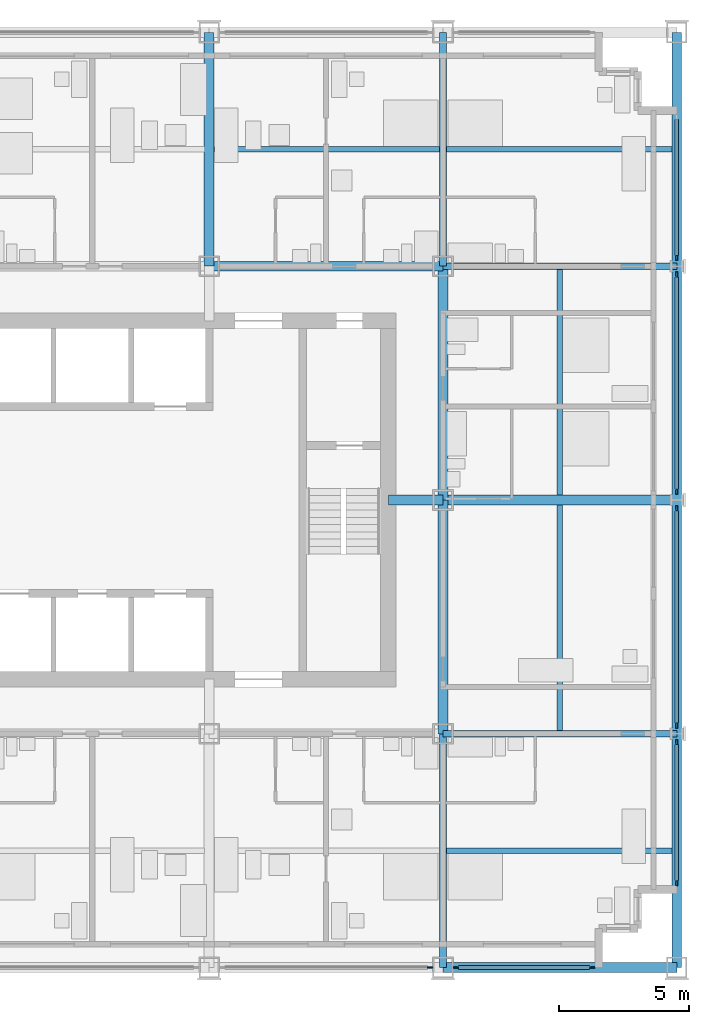
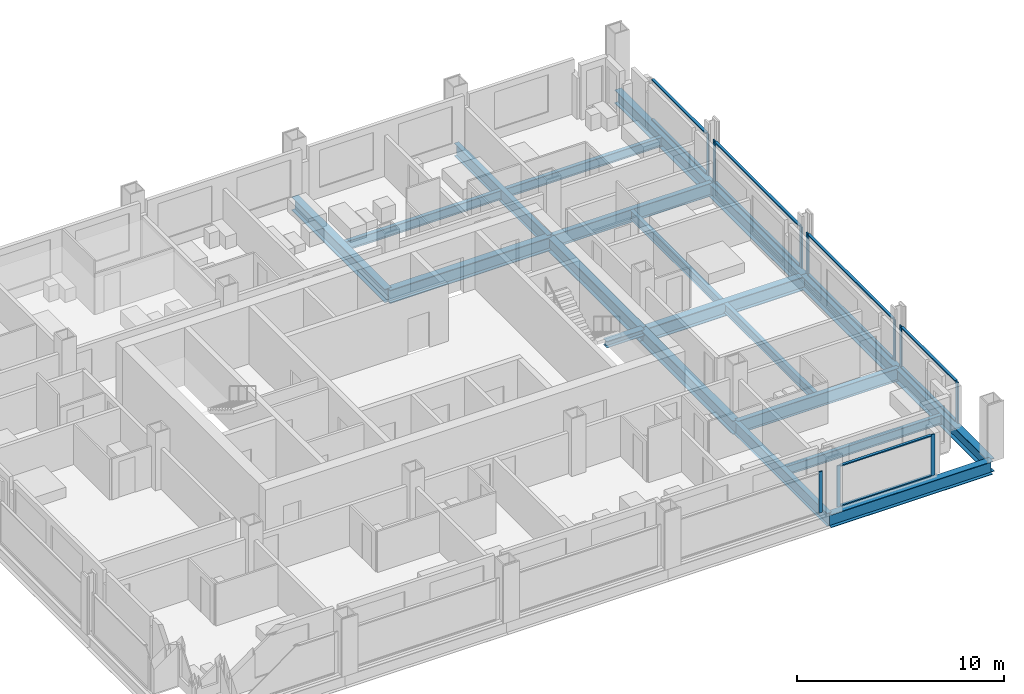
# One storey, part 5 of 16: 21 members, 19 beams, 6 elements without a shape of their own.
"""IFC4 building model written with IfcOpenShell, lengths in metres."""

from ifc_helpers import new_model, si_unit, direction, frame, origin, origin_2d, place, context, subcontext, project, spatial, rectangle, i_section, extrude, material, material_profile, profile_set, type_object, element, aggregate, save


model = new_model("IFC4")

# Units and contexts
model_context = context("Model", 3, precision=1e-05, world=origin(), true_north=direction((0.0, 1.0)))
body_context = subcontext(model_context, "Body", "Model", "MODEL_VIEW")
ifc_project = project(units=[si_unit("LENGTHUNIT", "METRE"), si_unit("AREAUNIT", "SQUARE_METRE"), si_unit("VOLUMEUNIT", "CUBIC_METRE"), si_unit("PLANEANGLEUNIT", "RADIAN"), si_unit("MASSUNIT", "GRAM", prefix="KILO")], contexts=[model_context])

# Site, building, storey
site_placement = place(None, origin())
site = spatial("IfcSite", under=ifc_project, at=site_placement, CompositionType="ELEMENT")
building_placement = place(site_placement, origin())
building = spatial("IfcBuilding", under=site, at=building_placement, Name="Loomwork Tower", CompositionType="ELEMENT")
storey_placement = place(building_placement, frame((0.0, 0.0, 148.60009765625)))
storey = spatial("IfcBuildingStorey", under=building, at=storey_placement, Name="L40", CompositionType="ELEMENT", Elevation=148.60009765625)

# Beams
ifc_material_1 = material(Name="Steel ASTM A992", Category="steel")
ifc_material_profile_1 = material_profile(ifc_material_1, i_section(OverallWidth=0.383544921875, OverallDepth=0.794921875, WebThickness=0.02099609375, FlangeThickness=0.0380859375, at=origin_2d()), Name="W30x235")
ifc_profile_set_1 = profile_set([ifc_material_profile_1], Name="Steel ASTM A992")
beam_type_1 = type_object("IfcBeamType", Name="CORE FLANK GIRDER W30x235", PredefinedType="BEAM", material=ifc_profile_set_1)
for number, where, z_axis, x_axis, name in (
    (1, (36.0, 18.0, -0.59765625), (1.0, 0.0, 0.0), (0.0, 1.0, 0.0), "Core Flank Girder F/6-F/7 L40"),
    (2, (27.0, 27.0, -0.59765625), (1.0, 0.0, 0.0), (0.0, 1.0, 0.0), "Core Flank Girder G/5-G/6 L40"),
    (3, (27.0, 27.0, -0.59765625), (0.0, 1.0, 0.0), (-1.0, 0.0, 0.0), "Core Flank Girder G/5-H/5 L40"),
    (4, (36.0, 9.0, -0.59765625), (0.0, 1.0, 0.0), (-1.0, 0.0, 0.0), "Core Flank Girder E/6-F/6 L40"),
    (5, (36.0, 18.0, -0.59765625), (0.0, 1.0, 0.0), (-1.0, 0.0, 0.0), "Core Flank Girder F/6-G/6 L40"),
):
    element("IfcBeam", number, at=place(storey_placement, frame(where, z_axis=z_axis, x_axis=x_axis)), inside=storey, type_object=beam_type_1, Name=name, PredefinedType="BEAM", context=body_context, shape_type="SweptSolid", body=[
        extrude(i_section(OverallWidth=0.383544921875, OverallDepth=0.794921875, WebThickness=0.02099609375, FlangeThickness=0.0380859375, at=origin_2d()), origin(), (0.0, 0.0, 1.0), 9.0),
    ])

# Member
ifc_material_2 = material(Name="Steel ASTM A992", Category="steel")
ifc_material_profile_2 = material_profile(ifc_material_2, i_section(OverallWidth=0.373291015625, OverallDepth=0.373291015625, WebThickness=0.016357421875, FlangeThickness=0.026123046875, at=origin_2d()), Name="W14x132")
ifc_profile_set_2 = profile_set([ifc_material_profile_2], Name="Steel ASTM A992")
member_type_1 = type_object("IfcMemberType", Name="CORE LINK STRUT W14x132", PredefinedType="STRUT", material=ifc_profile_set_2)
member_1_placement = place(storey_placement, frame((36.0, 18.0, -0.38671875), z_axis=(-1.0, 0.0, 0.0), x_axis=(0.0, -1.0, 0.0)))
element("IfcMember", 6, at=member_1_placement, inside=storey, type_object=member_type_1, Name="Core link strut F/6-33.900,18.000 L40", PredefinedType="STRUT", context=body_context, shape_type="SweptSolid", body=[
    extrude(i_section(OverallWidth=0.373291015625, OverallDepth=0.373291015625, WebThickness=0.016357421875, FlangeThickness=0.026123046875, at=origin_2d()), origin(), (0.0, 0.0, 1.0), 2.10009765625),
])

# Beams
ifc_material_3 = material(Name="Steel ASTM A992", Category="steel")
ifc_material_profile_3 = material_profile(ifc_material_3, i_section(OverallWidth=0.2666015625, OverallDepth=0.761962890625, WebThickness=0.014404296875, FlangeThickness=0.021484375, at=origin_2d()), Name="W30x116")
ifc_profile_set_3 = profile_set([ifc_material_profile_3], Name="Steel ASTM A992")
beam_type_2 = type_object("IfcBeamType", Name="FLOOR GIRDER W30x116", PredefinedType="BEAM", material=ifc_profile_set_3)
for number, where, z_axis, x_axis, name in (
    (7, (36.0, 9.0, -0.5810546875), (1.0, 0.0, 0.0), (0.0, 1.0, 0.0), "Floor Girder E/6-E/7 L40"),
    (8, (36.0, 27.0, -0.5810546875), (1.0, 0.0, 0.0), (0.0, 1.0, 0.0), "Floor Girder G/6-G/7 L40"),
    (9, (36.0, 0.0, -0.5810546875), (0.0, 1.0, 0.0), (-1.0, 0.0, 0.0), "Floor Girder D/6-E/6 L40"),
    (10, (36.0, 27.0, -0.5810546875), (0.0, 1.0, 0.0), (-1.0, 0.0, 0.0), "Floor Girder G/6-H/6 L40"),
):
    element("IfcBeam", number, at=place(storey_placement, frame(where, z_axis=z_axis, x_axis=x_axis)), inside=storey, type_object=beam_type_2, Name=name, PredefinedType="BEAM", context=body_context, shape_type="SweptSolid", body=[
        extrude(i_section(OverallWidth=0.2666015625, OverallDepth=0.761962890625, WebThickness=0.014404296875, FlangeThickness=0.021484375, at=origin_2d()), origin(), (0.0, 0.0, 1.0), 9.0),
    ])
ifc_material_4 = material(Name="Steel ASTM A992", Category="steel")
ifc_material_profile_4 = material_profile(ifc_material_4, i_section(OverallWidth=0.2109375, OverallDepth=0.53857421875, WebThickness=0.011474609375, FlangeThickness=0.018798828125, at=origin_2d()), Name="W21x73")
ifc_profile_set_4 = profile_set([ifc_material_profile_4], Name="Steel ASTM A992")
beam_type_3 = type_object("IfcBeamType", Name="FLOOR JOIST W21x73", PredefinedType="JOIST", material=ifc_profile_set_4)
beam_1_placement = place(storey_placement, frame((27.19091796875, 31.5, -0.46923828125), z_axis=(1.0, 0.0, 0.0), x_axis=(0.0, 1.0, 0.0)))
element("IfcBeam", 11, at=beam_1_placement, inside=storey, type_object=beam_type_3, Name="Floor Joist 27.000,31.500-36.000,31.500 L40", PredefinedType="JOIST", context=body_context, shape_type="SweptSolid", body=[
    extrude(i_section(OverallWidth=0.2109375, OverallDepth=0.53857421875, WebThickness=0.011474609375, FlangeThickness=0.018798828125, at=origin_2d()), origin(), (0.0, 0.0, 1.0), 8.676025390625),
])
beam_2_placement = place(storey_placement, frame((36.133056640625, 4.5, -0.46923828125), z_axis=(1.0, 0.0, 0.0), x_axis=(0.0, 1.0, 0.0)))
element("IfcBeam", 12, at=beam_2_placement, inside=storey, type_object=beam_type_3, Name="Floor Joist 36.000,4.500-45.000,4.500 L40", PredefinedType="JOIST", context=body_context, shape_type="SweptSolid", body=[
    extrude(i_section(OverallWidth=0.2109375, OverallDepth=0.53857421875, WebThickness=0.011474609375, FlangeThickness=0.018798828125, at=origin_2d()), origin(), (0.0, 0.0, 1.0), 8.677001953125),
])
for number, where, z_axis, x_axis, name in (
    (13, (40.5, 9.133056640625, -0.46923828125), (0.0, 1.0, 0.0), (-1.0, 0.0, 0.0), "Floor Joist 40.500,9.000-40.500,18.000 L40"),
    (14, (40.5, 18.19091796875, -0.46923828125), (0.0, 1.0, 0.0), (-1.0, 0.0, 0.0), "Floor Joist 40.500,18.000-40.500,27.000 L40"),
):
    element("IfcBeam", number, at=place(storey_placement, frame(where, z_axis=z_axis, x_axis=x_axis)), inside=storey, type_object=beam_type_3, Name=name, PredefinedType="JOIST", context=body_context, shape_type="SweptSolid", body=[
        extrude(i_section(OverallWidth=0.2109375, OverallDepth=0.53857421875, WebThickness=0.011474609375, FlangeThickness=0.018798828125, at=origin_2d()), origin(), (0.0, 0.0, 1.0), 8.676025390625),
    ])
beam_3_placement = place(storey_placement, frame((36.133056640625, 31.5, -0.46923828125), z_axis=(1.0, 0.0, 0.0), x_axis=(0.0, 1.0, 0.0)))
element("IfcBeam", 15, at=beam_3_placement, inside=storey, type_object=beam_type_3, Name="Floor Joist 36.000,31.500-45.000,31.500 L40", PredefinedType="JOIST", context=body_context, shape_type="SweptSolid", body=[
    extrude(i_section(OverallWidth=0.2109375, OverallDepth=0.53857421875, WebThickness=0.011474609375, FlangeThickness=0.018798828125, at=origin_2d()), origin(), (0.0, 0.0, 1.0), 8.677001953125),
])

# Curtain wall, member
ifc_material_5 = material(Name="Aluminium curtain wall frame", Category="aluminium")
curtain_wall_type = type_object("IfcCurtainWallType", Name="Outer skin glazing hotel", PredefinedType="NOTDEFINED", material=ifc_material_5)
curtain_wall_1_placement = place(storey_placement, origin())
curtain_wall_1 = element("IfcCurtainWall", 16, at=curtain_wall_1_placement, inside=storey, type_object=curtain_wall_type, Name="Outer skin glazing hotel cw/S-27", PredefinedType="NOTDEFINED")
ifc_material_6 = material(Name="Aluminium curtain wall frame", Category="aluminium")
ifc_material_profile_5 = material_profile(ifc_material_6, rectangle(XDim=0.06494140625, YDim=0.199951171875, at=origin_2d()), Name="AL 65x200")
ifc_profile_set_5 = profile_set([ifc_material_profile_5], Name="Aluminium curtain wall frame")
member_type_2 = type_object("IfcMemberType", Name="Outer skin glazing hotel mullion", PredefinedType="MULLION", material=ifc_profile_set_5)
member_2_placement = place(storey_placement, frame((35.5, 0.0, 0.0), z_axis=(0.0, 0.0, 1.0), x_axis=(0.0, 1.0, 0.0)))
member_2 = element("IfcMember", 17, at=member_2_placement, type_object=member_type_2, Name="CW1 mullion 2", PredefinedType="MULLION", context=body_context, shape_type="SweptSolid", body=[
    extrude(rectangle(XDim=0.06494140625, YDim=0.199951171875, at=origin_2d()), origin(), (0.0, 0.0, 1.0), 2.420166015625),
])
aggregate(curtain_wall_1, [member_2])

# Curtain wall, members
curtain_wall_2_placement = place(storey_placement, origin())
curtain_wall_2 = element("IfcCurtainWall", 18, at=curtain_wall_2_placement, inside=storey, type_object=curtain_wall_type, Name="Outer skin glazing hotel cw/S-36", PredefinedType="NOTDEFINED")
member_3_placement = place(storey_placement, frame((36.5, 0.0, 0.0), z_axis=(0.0, 0.0, 1.0), x_axis=(0.0, 1.0, 0.0)))
member_3 = element("IfcMember", 19, at=member_3_placement, type_object=member_type_2, Name="CW1 mullion 1", PredefinedType="MULLION", context=body_context, shape_type="SweptSolid", body=[
    extrude(rectangle(XDim=0.06494140625, YDim=0.199951171875, at=origin_2d()), origin(), (0.0, 0.0, 1.0), 2.420166015625),
])
member_4_placement = place(storey_placement, frame((41.75, 0.0, 0.0), z_axis=(0.0, 0.0, 1.0), x_axis=(0.0, 1.0, 0.0)))
member_4 = element("IfcMember", 20, at=member_4_placement, type_object=member_type_2, Name="CW1 mullion 2", PredefinedType="MULLION", context=body_context, shape_type="SweptSolid", body=[
    extrude(rectangle(XDim=0.06494140625, YDim=0.199951171875, at=origin_2d()), origin(), (0.0, 0.0, 1.0), 2.420166015625),
])

curtain_wall_3_placement = place(storey_placement, origin())
curtain_wall_3 = element("IfcCurtainWall", 21, at=curtain_wall_3_placement, inside=storey, type_object=curtain_wall_type, Name="Outer skin glazing hotel cw/E-0", PredefinedType="NOTDEFINED")
member_5_placement = place(storey_placement, frame((45.0, 3.25, 0.0), z_axis=(0.0, 0.0, 1.0), x_axis=(-1.0, 0.0, 0.0)))
member_5 = element("IfcMember", 22, at=member_5_placement, type_object=member_type_2, Name="CW1 mullion 1", PredefinedType="MULLION", context=body_context, shape_type="SweptSolid", body=[
    extrude(rectangle(XDim=0.06494140625, YDim=0.199951171875, at=origin_2d()), origin(), (0.0, 0.0, 1.0), 2.420166015625),
])
member_6_placement = place(storey_placement, frame((45.0, 8.678955078125, 0.0), z_axis=(0.0, 0.0, 1.0), x_axis=(-1.0, 0.0, 0.0)))
member_6 = element("IfcMember", 23, at=member_6_placement, type_object=member_type_2, Name="CW1 mullion 2", PredefinedType="MULLION", context=body_context, shape_type="SweptSolid", body=[
    extrude(rectangle(XDim=0.06494140625, YDim=0.199951171875, at=origin_2d()), origin(), (0.0, 0.0, 1.0), 2.420166015625),
])

curtain_wall_4_placement = place(storey_placement, origin())
curtain_wall_4 = element("IfcCurtainWall", 24, at=curtain_wall_4_placement, inside=storey, type_object=curtain_wall_type, Name="Outer skin glazing hotel cw/E-9", PredefinedType="NOTDEFINED")
member_7_placement = place(storey_placement, frame((45.0, 9.321044921875, 0.0), z_axis=(0.0, 0.0, 1.0), x_axis=(-1.0, 0.0, 0.0)))
member_7 = element("IfcMember", 25, at=member_7_placement, type_object=member_type_2, Name="CW1 mullion 1", PredefinedType="MULLION", context=body_context, shape_type="SweptSolid", body=[
    extrude(rectangle(XDim=0.06494140625, YDim=0.199951171875, at=origin_2d()), origin(), (0.0, 0.0, 1.0), 2.420166015625),
])
member_8_placement = place(storey_placement, frame((45.0, 17.678955078125, 0.0), z_axis=(0.0, 0.0, 1.0), x_axis=(-1.0, 0.0, 0.0)))
member_8 = element("IfcMember", 26, at=member_8_placement, type_object=member_type_2, Name="CW1 mullion 2", PredefinedType="MULLION", context=body_context, shape_type="SweptSolid", body=[
    extrude(rectangle(XDim=0.06494140625, YDim=0.199951171875, at=origin_2d()), origin(), (0.0, 0.0, 1.0), 2.420166015625),
])

curtain_wall_5_placement = place(storey_placement, origin())
curtain_wall_5 = element("IfcCurtainWall", 27, at=curtain_wall_5_placement, inside=storey, type_object=curtain_wall_type, Name="Outer skin glazing hotel cw/E-18", PredefinedType="NOTDEFINED")
member_9_placement = place(storey_placement, frame((45.0, 18.321044921875, 0.0), z_axis=(0.0, 0.0, 1.0), x_axis=(-1.0, 0.0, 0.0)))
member_9 = element("IfcMember", 28, at=member_9_placement, type_object=member_type_2, Name="CW1 mullion 1", PredefinedType="MULLION", context=body_context, shape_type="SweptSolid", body=[
    extrude(rectangle(XDim=0.06494140625, YDim=0.199951171875, at=origin_2d()), origin(), (0.0, 0.0, 1.0), 2.420166015625),
])
member_10_placement = place(storey_placement, frame((45.0, 26.678955078125, 0.0), z_axis=(0.0, 0.0, 1.0), x_axis=(-1.0, 0.0, 0.0)))
member_10 = element("IfcMember", 29, at=member_10_placement, type_object=member_type_2, Name="CW1 mullion 2", PredefinedType="MULLION", context=body_context, shape_type="SweptSolid", body=[
    extrude(rectangle(XDim=0.06494140625, YDim=0.199951171875, at=origin_2d()), origin(), (0.0, 0.0, 1.0), 2.420166015625),
])

# Curtain wall, member
curtain_wall_6_placement = place(storey_placement, origin())
curtain_wall_6 = element("IfcCurtainWall", 30, at=curtain_wall_6_placement, inside=storey, type_object=curtain_wall_type, Name="Outer skin glazing hotel cw/E-27", PredefinedType="NOTDEFINED")
member_11_placement = place(storey_placement, frame((45.0, 27.321044921875, 0.0), z_axis=(0.0, 0.0, 1.0), x_axis=(-1.0, 0.0, 0.0)))
member_11 = element("IfcMember", 31, at=member_11_placement, type_object=member_type_2, Name="CW1 mullion 1", PredefinedType="MULLION", context=body_context, shape_type="SweptSolid", body=[
    extrude(rectangle(XDim=0.06494140625, YDim=0.199951171875, at=origin_2d()), origin(), (0.0, 0.0, 1.0), 2.420166015625),
])

# Member
ifc_material_7 = material(Name="Aluminium curtain wall frame", Category="aluminium")
ifc_material_profile_6 = material_profile(ifc_material_7, rectangle(XDim=0.14990234375, YDim=0.06494140625, at=origin_2d()), Name="AL 65x150")
ifc_profile_set_6 = profile_set([ifc_material_profile_6], Name="Aluminium curtain wall frame")
member_type_3 = type_object("IfcMemberType", Name="Outer skin glazing hotel transom", PredefinedType="USERDEFINED", material=ifc_profile_set_6)
member_12_placement = place(storey_placement, frame((36.60009765625, 0.0, 0.032470703125), z_axis=(1.0, 0.0, 0.0), x_axis=(0.0, 1.0, 0.0)))
member_12 = element("IfcMember", 32, at=member_12_placement, type_object=member_type_3, Name="CW1 transom 1.1", ObjectType="TRANSOM", PredefinedType="USERDEFINED", context=body_context, shape_type="SweptSolid", body=[
    extrude(rectangle(XDim=0.14990234375, YDim=0.06494140625, at=origin_2d()), origin(), (0.0, 0.0, 1.0), 5.0498046875),
])

member_13_placement = place(storey_placement, frame((36.60009765625, 0.0, 2.3876953125), z_axis=(1.0, 0.0, 0.0), x_axis=(0.0, 1.0, 0.0)))
member_13 = element("IfcMember", 33, at=member_13_placement, type_object=member_type_3, Name="CW1 transom 1.2", ObjectType="TRANSOM", PredefinedType="USERDEFINED", context=body_context, shape_type="SweptSolid", body=[
    extrude(rectangle(XDim=0.14990234375, YDim=0.06494140625, at=origin_2d()), origin(), (0.0, 0.0, 1.0), 5.0498046875),
])

aggregate(curtain_wall_2, [member_3, member_4, member_12, member_13])

member_14_placement = place(storey_placement, frame((45.0, 3.35009765625, 0.032470703125), z_axis=(0.0, 1.0, 0.0), x_axis=(-1.0, 0.0, 0.0)))
member_14 = element("IfcMember", 34, at=member_14_placement, type_object=member_type_3, Name="CW1 transom 1.1", ObjectType="TRANSOM", PredefinedType="USERDEFINED", context=body_context, shape_type="SweptSolid", body=[
    extrude(rectangle(XDim=0.14990234375, YDim=0.06494140625, at=origin_2d()), origin(), (0.0, 0.0, 1.0), 5.22900390625),
])

member_15_placement = place(storey_placement, frame((45.0, 3.35009765625, 2.3876953125), z_axis=(0.0, 1.0, 0.0), x_axis=(-1.0, 0.0, 0.0)))
member_15 = element("IfcMember", 35, at=member_15_placement, type_object=member_type_3, Name="CW1 transom 1.2", ObjectType="TRANSOM", PredefinedType="USERDEFINED", context=body_context, shape_type="SweptSolid", body=[
    extrude(rectangle(XDim=0.14990234375, YDim=0.06494140625, at=origin_2d()), origin(), (0.0, 0.0, 1.0), 5.22900390625),
])

aggregate(curtain_wall_3, [member_5, member_6, member_14, member_15])

member_16_placement = place(storey_placement, frame((45.0, 9.4208984375, 0.032470703125), z_axis=(0.0, 1.0, 0.0), x_axis=(-1.0, 0.0, 0.0)))
member_16 = element("IfcMember", 36, at=member_16_placement, type_object=member_type_3, Name="CW1 transom 1.1", ObjectType="TRANSOM", PredefinedType="USERDEFINED", context=body_context, shape_type="SweptSolid", body=[
    extrude(rectangle(XDim=0.14990234375, YDim=0.06494140625, at=origin_2d()), origin(), (0.0, 0.0, 1.0), 8.158203125),
])

member_17_placement = place(storey_placement, frame((45.0, 9.4208984375, 2.3876953125), z_axis=(0.0, 1.0, 0.0), x_axis=(-1.0, 0.0, 0.0)))
member_17 = element("IfcMember", 37, at=member_17_placement, type_object=member_type_3, Name="CW1 transom 1.2", ObjectType="TRANSOM", PredefinedType="USERDEFINED", context=body_context, shape_type="SweptSolid", body=[
    extrude(rectangle(XDim=0.14990234375, YDim=0.06494140625, at=origin_2d()), origin(), (0.0, 0.0, 1.0), 8.158203125),
])

aggregate(curtain_wall_4, [member_7, member_8, member_16, member_17])

member_18_placement = place(storey_placement, frame((45.0, 18.4208984375, 0.032470703125), z_axis=(0.0, 1.0, 0.0), x_axis=(-1.0, 0.0, 0.0)))
member_18 = element("IfcMember", 38, at=member_18_placement, type_object=member_type_3, Name="CW1 transom 1.1", ObjectType="TRANSOM", PredefinedType="USERDEFINED", context=body_context, shape_type="SweptSolid", body=[
    extrude(rectangle(XDim=0.14990234375, YDim=0.06494140625, at=origin_2d()), origin(), (0.0, 0.0, 1.0), 8.158203125),
])

member_19_placement = place(storey_placement, frame((45.0, 18.4208984375, 2.3876953125), z_axis=(0.0, 1.0, 0.0), x_axis=(-1.0, 0.0, 0.0)))
member_19 = element("IfcMember", 39, at=member_19_placement, type_object=member_type_3, Name="CW1 transom 1.2", ObjectType="TRANSOM", PredefinedType="USERDEFINED", context=body_context, shape_type="SweptSolid", body=[
    extrude(rectangle(XDim=0.14990234375, YDim=0.06494140625, at=origin_2d()), origin(), (0.0, 0.0, 1.0), 8.158203125),
])

aggregate(curtain_wall_5, [member_9, member_10, member_18, member_19])

member_20_placement = place(storey_placement, frame((45.0, 27.4208984375, 0.032470703125), z_axis=(0.0, 1.0, 0.0), x_axis=(-1.0, 0.0, 0.0)))
member_20 = element("IfcMember", 40, at=member_20_placement, type_object=member_type_3, Name="CW1 transom 1.1", ObjectType="TRANSOM", PredefinedType="USERDEFINED", context=body_context, shape_type="SweptSolid", body=[
    extrude(rectangle(XDim=0.14990234375, YDim=0.06494140625, at=origin_2d()), origin(), (0.0, 0.0, 1.0), 5.22900390625),
])

member_21_placement = place(storey_placement, frame((45.0, 27.4208984375, 2.3876953125), z_axis=(0.0, 1.0, 0.0), x_axis=(-1.0, 0.0, 0.0)))
member_21 = element("IfcMember", 41, at=member_21_placement, type_object=member_type_3, Name="CW1 transom 1.2", ObjectType="TRANSOM", PredefinedType="USERDEFINED", context=body_context, shape_type="SweptSolid", body=[
    extrude(rectangle(XDim=0.14990234375, YDim=0.06494140625, at=origin_2d()), origin(), (0.0, 0.0, 1.0), 5.22900390625),
])

aggregate(curtain_wall_6, [member_11, member_20, member_21])

# Beams
ifc_material_8 = material(Name="Steel ASTM A992", Category="steel")
ifc_material_profile_7 = material_profile(ifc_material_8, i_section(OverallWidth=0.381103515625, OverallDepth=0.77978515625, WebThickness=0.01806640625, FlangeThickness=0.0302734375, at=origin_2d()), Name="W30x191")
ifc_profile_set_7 = profile_set([ifc_material_profile_7], Name="Steel ASTM A992")
beam_type_4 = type_object("IfcBeamType", Name="SPANDREL GIRDER W30x191", PredefinedType="SPANDREL", material=ifc_profile_set_7)
for number, where, z_axis, x_axis, name in (
    (42, (36.0, 0.0, -0.590087890625), (1.0, 0.0, 0.0), (0.0, 1.0, 0.0), "Spandrel Girder D/6-D/7 L40"),
    (43, (45.0, 0.0, -0.590087890625), (0.0, 1.0, 0.0), (-1.0, 0.0, 0.0), "Spandrel Girder D/7-E/7 L40"),
    (44, (45.0, 9.0, -0.590087890625), (0.0, 1.0, 0.0), (-1.0, 0.0, 0.0), "Spandrel Girder E/7-F/7 L40"),
    (45, (45.0, 18.0, -0.590087890625), (0.0, 1.0, 0.0), (-1.0, 0.0, 0.0), "Spandrel Girder F/7-G/7 L40"),
    (46, (45.0, 27.0, -0.590087890625), (0.0, 1.0, 0.0), (-1.0, 0.0, 0.0), "Spandrel Girder G/7-H/7 L40"),
):
    element("IfcBeam", number, at=place(storey_placement, frame(where, z_axis=z_axis, x_axis=x_axis)), inside=storey, type_object=beam_type_4, Name=name, PredefinedType="SPANDREL", context=body_context, shape_type="SweptSolid", body=[
        extrude(i_section(OverallWidth=0.381103515625, OverallDepth=0.77978515625, WebThickness=0.01806640625, FlangeThickness=0.0302734375, at=origin_2d()), origin(), (0.0, 0.0, 1.0), 9.0),
    ])

save(model, "model.ifc")
